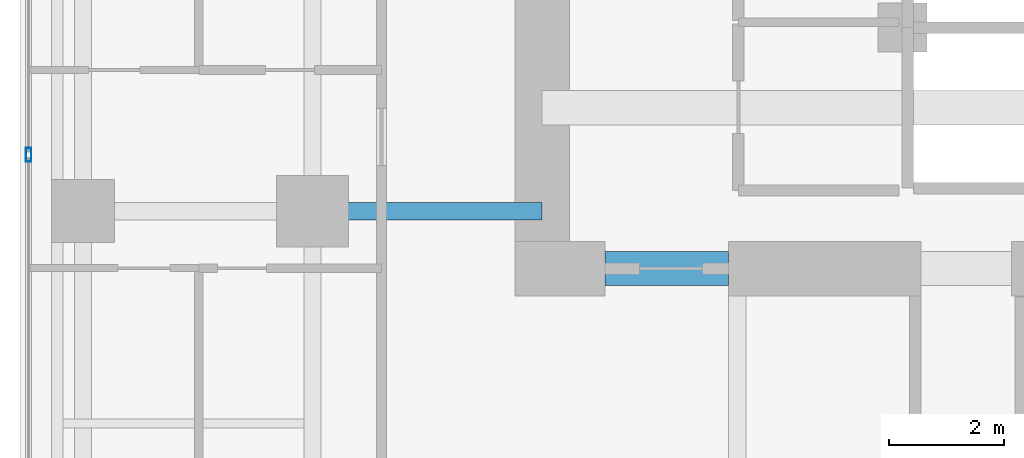
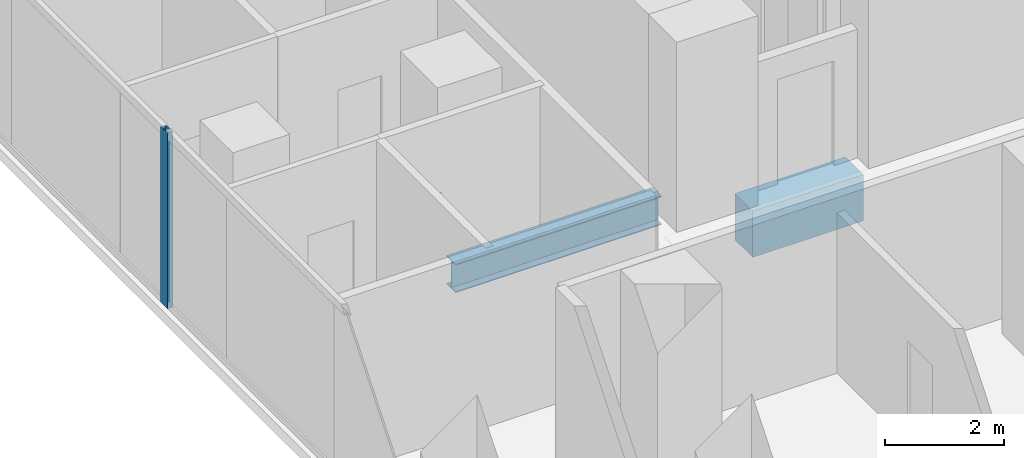
# One storey, part 6 of 27: 2 beams, 1 member, 1 element without a shape of its own.
"""IFC4 building model written with IfcOpenShell, lengths in metres."""

import ifcopenshell
import ifcopenshell.guid

model = None  # the IFC model being written
_history = None  # IfcOwnerHistory: only IFC2X3 demands one
_inside = {}  # id of a spatial element -> (the spatial element, [elements in it])
_under = {}  # id of a project, library or spatial element -> (it, [spatial elements below it])
_declared = {}  # id of a project -> (the project, [libraries it declares])
_typed = {}  # id of a type object -> (the type object, [elements of that type])
_made_of = {}  # id of a material, layer set ... -> (it, [elements and type objects made of it])


def new_model(schema):
    """Start an empty IFC model of exactly this schema.

    Asked for "IFC4X3", IfcOpenShell would pick the latest addendum, in which some entities
    have other attributes; the version numbers below select the first issue.
    IFC2X3 requires an IfcOwnerHistory on every rooted entity: one is made here for all.
    """
    global model, _history
    if schema == "IFC4X3":
        model = ifcopenshell.file(schema_version=(4, 3, 0, 0))
    else:
        model = ifcopenshell.file(schema=schema)
    _inside.clear()
    _under.clear()
    _declared.clear()
    _typed.clear()
    _made_of.clear()
    _history = None
    if model.schema == "IFC2X3":
        org = make("IfcOrganization", Name="unknown")
        user = make(
            "IfcPersonAndOrganization",
            ThePerson=make("IfcPerson", FamilyName="unknown"),
            TheOrganization=org,
        )
        app = make(
            "IfcApplication",
            ApplicationDeveloper=org,
            Version="unknown",
            ApplicationFullName="unknown",
            ApplicationIdentifier="unknown",
        )
        _history = make(
            "IfcOwnerHistory",
            OwningUser=user,
            OwningApplication=app,
            ChangeAction="ADDED",
            CreationDate=0,
        )
    return model


def make(cls, **values):
    """One entity of the class cls with the attributes given. An attribute that is None is left unset."""
    return model.create_entity(
        cls, **{name: value for name, value in values.items() if value is not None}
    )


def rooted(cls, **values):
    """An entity with a GlobalId (a new one), such as an element, a storey or a relation."""
    return make(cls, GlobalId=ifcopenshell.guid.new(), OwnerHistory=_history, **values)


def si_unit(unit_type, name, prefix=None):
    """IfcSIUnit, for example si_unit("LENGTHUNIT", "METRE", prefix="MILLI")."""
    return make("IfcSIUnit", UnitType=unit_type, Prefix=prefix, Name=name)


def assignment(units):
    """IfcUnitAssignment: the units of a project."""
    return None if units is None else make("IfcUnitAssignment", Units=units)


def point(xyz):
    """IfcCartesianPoint."""
    return None if xyz is None else make("IfcCartesianPoint", Coordinates=xyz)


def direction(xyz):
    """IfcDirection."""
    return None if xyz is None else make("IfcDirection", DirectionRatios=xyz)


def frame(location, z_axis=None, x_axis=None):
    """IfcAxis2Placement3D, a coordinate frame: its origin and axes. An axis left out is left unset."""
    return make(
        "IfcAxis2Placement3D",
        Location=point(location),
        Axis=direction(z_axis),
        RefDirection=direction(x_axis),
    )


def frame_2d(location, x_axis=None):
    """IfcAxis2Placement2D, a coordinate frame in the plane: its origin and x axis."""
    return make(
        "IfcAxis2Placement2D", Location=point(location), RefDirection=direction(x_axis)
    )


def origin():
    """The frame at (0, 0, 0) with its axes left unset."""
    return frame((0.0, 0.0, 0.0))


def origin_2d():
    """The frame at (0, 0) in the plane with its x axis left unset."""
    return frame_2d((0.0, 0.0))


def place(relative_to, where):
    """IfcLocalPlacement: puts the frame where relative to a parent placement (None: the world)."""
    return make(
        "IfcLocalPlacement", PlacementRelTo=relative_to, RelativePlacement=where
    )


def context(
    kind, dimensions, precision=None, world=None, true_north=None, identifier=None
):
    """IfcGeometricRepresentationContext, for example the 3D "Model" context."""
    return make(
        "IfcGeometricRepresentationContext",
        ContextIdentifier=identifier,
        ContextType=kind,
        CoordinateSpaceDimension=dimensions,
        Precision=precision,
        WorldCoordinateSystem=world,
        TrueNorth=true_north,
    )


def subcontext(parent, identifier, kind, view, scale=None):
    """IfcGeometricRepresentationSubContext, for example "Body" below "Model"."""
    return make(
        "IfcGeometricRepresentationSubContext",
        ContextIdentifier=identifier,
        ContextType=kind,
        ParentContext=parent,
        TargetScale=scale,
        TargetView=view,
    )


def project(units=None, contexts=None):
    """IfcProject with its units and contexts."""
    return rooted(
        "IfcProject",
        Name="project",
        RepresentationContexts=contexts,
        UnitsInContext=assignment(units),
    )


def spatial(cls, under=None, at=None, **own):
    """A site, building, storey or space (cls), placed at a placement, below another one or the project."""
    s = rooted(cls, ObjectPlacement=at, **own)
    if under is not None:
        _under.setdefault(under.id(), (under, []))[1].append(s)
    return s


def profile(cls, at=None, kind="AREA", **sizes):
    """A parametric profile (cls). Its sizes go by their IFC names, for example OverallWidth=200.0."""
    return make(cls, ProfileType=kind, Position=at, **sizes)


def rectangle(**sizes):
    """IfcRectangleProfileDef."""
    return profile("IfcRectangleProfileDef", **sizes)


def hollow_rectangle(**sizes):
    """IfcRectangleHollowProfileDef."""
    return profile("IfcRectangleHollowProfileDef", **sizes)


def i_section(**sizes):
    """IfcIShapeProfileDef."""
    return profile("IfcIShapeProfileDef", **sizes)


def extrude(swept, where, along, depth):
    """IfcExtrudedAreaSolid: the profile swept, set in the frame where, extruded along a direction by depth."""
    return make(
        "IfcExtrudedAreaSolid",
        SweptArea=swept,
        Position=where,
        ExtrudedDirection=direction(along),
        Depth=depth,
    )


def shape(context_of_items, identifier, shape_type, items):
    """IfcShapeRepresentation: the items that make up one representation, for example the "Body"."""
    return make(
        "IfcShapeRepresentation",
        ContextOfItems=context_of_items,
        RepresentationIdentifier=identifier,
        RepresentationType=shape_type,
        Items=items,
    )


def material(Name=None, Category=None):
    """IfcMaterial."""
    return make("IfcMaterial", Name=Name, Category=Category)


def layer(
    of_material, thickness, ventilated=None, Name=None, Category=None, Priority=None
):
    """IfcMaterialLayer: one layer of a wall or slab, of a material (None: an air gap)."""
    return make(
        "IfcMaterialLayer",
        Material=of_material,
        LayerThickness=thickness,
        IsVentilated=ventilated,
        Name=Name,
        Category=Category,
        Priority=Priority,
    )


def layer_set(layers, Name=None):
    """IfcMaterialLayerSet."""
    return make("IfcMaterialLayerSet", MaterialLayers=layers, LayerSetName=Name)


def material_profile(
    of_material, cross_section, Name=None, Category=None, Priority=None
):
    """IfcMaterialProfile: a cross section and its material."""
    return make(
        "IfcMaterialProfile",
        Name=Name,
        Material=of_material,
        Profile=cross_section,
        Priority=Priority,
        Category=Category,
    )


def profile_set(profiles, Name=None, composite=None):
    """IfcMaterialProfileSet."""
    return make(
        "IfcMaterialProfileSet",
        Name=Name,
        MaterialProfiles=profiles,
        CompositeProfile=composite,
    )


def made_of(thing, what):
    """Note that an element or type object is made of a material, layer set ...; save() writes the relation."""
    if what is not None:
        _made_of.setdefault(what.id(), (what, []))[1].append(thing)
    return thing


def type_object(cls, material=None, **own):
    """A type object (cls), such as IfcWallType, which elements share."""
    return made_of(rooted(cls, **own), material)


def element(
    cls,
    number,
    at=None,
    inside=None,
    cuts=None,
    type_object=None,
    material=None,
    context=None,
    identifier="Body",
    shape_type=None,
    held_by="IfcProductDefinitionShape",
    body=None,
    shapes=None,
    **own,
):
    """One element of the class cls, such as IfcWall. Its Tag is "e" and its number.

    at: its placement. inside: the storey or other place that contains it. cuts: it is an
    opening in that element (IfcRelVoidsElement). A single representation is given by context,
    identifier, shape_type and body (its items); several are given by shapes. held_by: the class
    of the entity that holds the representations. save() writes the other relations.
    """
    e = rooted(cls, Tag="e%d" % number, ObjectPlacement=at, **own)
    if body is not None:
        shapes = [shape(context, identifier, shape_type, body)]
    if shapes is not None:
        e.Representation = make(held_by, Representations=shapes)
    if inside is not None:
        _inside.setdefault(inside.id(), (inside, []))[1].append(e)
    if cuts is not None:
        rooted(
            "IfcRelVoidsElement", RelatingBuildingElement=cuts, RelatedOpeningElement=e
        )
    if type_object is not None:
        _typed.setdefault(type_object.id(), (type_object, []))[1].append(e)
    return made_of(e, material)


def aggregate(whole, parts):
    """IfcRelAggregates: a whole, such as a stair, and the parts it consists of."""
    return rooted("IfcRelAggregates", RelatingObject=whole, RelatedObjects=parts)


def save(model, path):
    """Write the relations noted so far, then the file.

    IfcRelAggregates (storeys below a building ...), IfcRelContainedInSpatialStructure (elements
    in a storey), IfcRelDefinesByType, IfcRelAssociatesMaterial and IfcRelDeclares: one each for
    every whole, place, type object, material and project.
    """
    for whole, parts in _under.values():
        aggregate(whole, parts)
    for where, things in _inside.values():
        rooted(
            "IfcRelContainedInSpatialStructure",
            RelatedElements=things,
            RelatingStructure=where,
        )
    for kind, things in _typed.values():
        rooted("IfcRelDefinesByType", RelatedObjects=things, RelatingType=kind)
    for what, things in _made_of.values():
        rooted("IfcRelAssociatesMaterial", RelatedObjects=things, RelatingMaterial=what)
    for by, libraries in _declared.values():
        rooted("IfcRelDeclares", RelatingContext=by, RelatedDefinitions=libraries)
    model.write(path)


model = new_model("IFC4")

# Units and contexts
model_context = context("Model", 3, precision=1e-05, world=origin(), true_north=direction((0.0, 1.0)))
body_context = subcontext(model_context, "Body", "Model", "MODEL_VIEW")
ifc_project = project(units=[si_unit("LENGTHUNIT", "METRE"), si_unit("AREAUNIT", "SQUARE_METRE"), si_unit("VOLUMEUNIT", "CUBIC_METRE"), si_unit("PLANEANGLEUNIT", "RADIAN"), si_unit("MASSUNIT", "GRAM", prefix="KILO")], contexts=[model_context])

# Site, building, storey
site_placement = place(None, origin())
site = spatial("IfcSite", under=ifc_project, at=site_placement, CompositionType="ELEMENT")
building_placement = place(site_placement, origin())
building = spatial("IfcBuilding", under=site, at=building_placement, Name="Khorvyn Point Tower", CompositionType="ELEMENT")
storey_placement = place(building_placement, frame((0.0, 0.0, 152.39990234375)))
storey = spatial("IfcBuildingStorey", under=building, at=storey_placement, Name="L38", CompositionType="ELEMENT", Elevation=152.39990234375)

# Curtain wall, member
ifc_material_1 = material(Name="Anodised aluminium 6063-T6 and laminated Low-E glass", Category="aluminium")
ifc_layer = layer(ifc_material_1, 0.18994140625)
ifc_layer_set = layer_set([ifc_layer], Name="Stick-Built Acoustic Curtain Wall CW-SYS-03")
curtain_wall_type = type_object("IfcCurtainWallType", Name="Stick-Built Acoustic Curtain Wall CW-SYS-03", PredefinedType="NOTDEFINED", material=ifc_layer_set)
curtain_wall_placement = place(storey_placement, origin())
curtain_wall = element("IfcCurtainWall", 1, at=curtain_wall_placement, inside=storey, type_object=curtain_wall_type, Name="Curtain Wall", PredefinedType="NOTDEFINED")
ifc_material_2 = material(Name="Anodised aluminium 6063-T6", Category="aluminium")
ifc_material_profile_1 = material_profile(ifc_material_2, hollow_rectangle(XDim=0.10009765625, YDim=0.239990234375, WallThickness=0.0048828125, at=origin_2d()))
ifc_profile_set_1 = profile_set([ifc_material_profile_1], Name="Anodised aluminium 6063-T6 ALU-MUL-100x240")
member_type = type_object("IfcMemberType", Name="Anodised Aluminium 6063-T6 Mullion ALU-MUL-100x240", PredefinedType="MULLION", material=ifc_profile_set_1)
member_placement = place(storey_placement, frame((-19.75, -6.416748046875, 0.0), z_axis=(0.0, 0.0, 1.0), x_axis=(-1.0, 0.0, 0.0)))
member = element("IfcMember", 2, at=member_placement, type_object=member_type, Name="Transom", PredefinedType="MULLION", context=body_context, shape_type="SweptSolid", body=[
    extrude(hollow_rectangle(XDim=0.10009765625, YDim=0.239990234375, WallThickness=0.0048828125, at=origin_2d()), origin(), (0.0, 0.0, 1.0), 3.60009765625),
])
aggregate(curtain_wall, [member])

# Beams
ifc_material_3 = material(Name="Concrete C50/60", Category="concrete")
ifc_material_profile_2 = material_profile(ifc_material_3, rectangle(XDim=0.60009765625, YDim=0.949951171875, at=origin_2d()))
ifc_profile_set_2 = profile_set([ifc_material_profile_2], Name="Concrete C50/60 RC600x950")
beam_type_1 = type_object("IfcBeamType", Name="Concrete C50/60 Beam RC600x950", PredefinedType="BEAM", material=ifc_profile_set_2)
beam_1_placement = place(storey_placement, frame((-9.699951171875, -8.39990234375, -0.69482421875), z_axis=(1.0, 0.0, 0.0), x_axis=(0.0, 1.0, 0.0)))
element("IfcBeam", 3, at=beam_1_placement, inside=storey, type_object=beam_type_1, Name="L38 Core Southwest Portal Coupling Beam", PredefinedType="BEAM", context=body_context, shape_type="SweptSolid", body=[
    extrude(rectangle(XDim=0.60009765625, YDim=0.949951171875, at=origin_2d()), origin(), (0.0, 0.0, 1.0), 2.14990234375),
])
ifc_material_4 = material(Name="Steel S355", Category="steel")
ifc_material_profile_3 = material_profile(ifc_material_4, i_section(OverallWidth=0.300048828125, OverallDepth=0.587890625, WebThickness=0.011962890625, FlangeThickness=0.02001953125, at=origin_2d()))
ifc_profile_set_3 = profile_set([ifc_material_profile_3], Name="Steel S355 H588x300x12x20")
beam_type_2 = type_object("IfcBeamType", Name="Steel S355 Beam H588x300x12x20", PredefinedType="BEAM", material=ifc_profile_set_3)
beam_2_placement = place(storey_placement, frame((-14.800048828125, -7.39990234375, -0.513916015625), z_axis=(1.0, 0.0, 0.0), x_axis=(0.0, 1.0, 0.0)))
element("IfcBeam", 4, at=beam_2_placement, inside=storey, type_object=beam_type_2, Name="Beam", PredefinedType="BEAM", context=body_context, shape_type="SweptSolid", body=[
    extrude(i_section(OverallWidth=0.300048828125, OverallDepth=0.587890625, WebThickness=0.011962890625, FlangeThickness=0.02001953125, at=origin_2d()), origin(), (0.0, 0.0, 1.0), 4.0),
])

save(model, "model.ifc")
